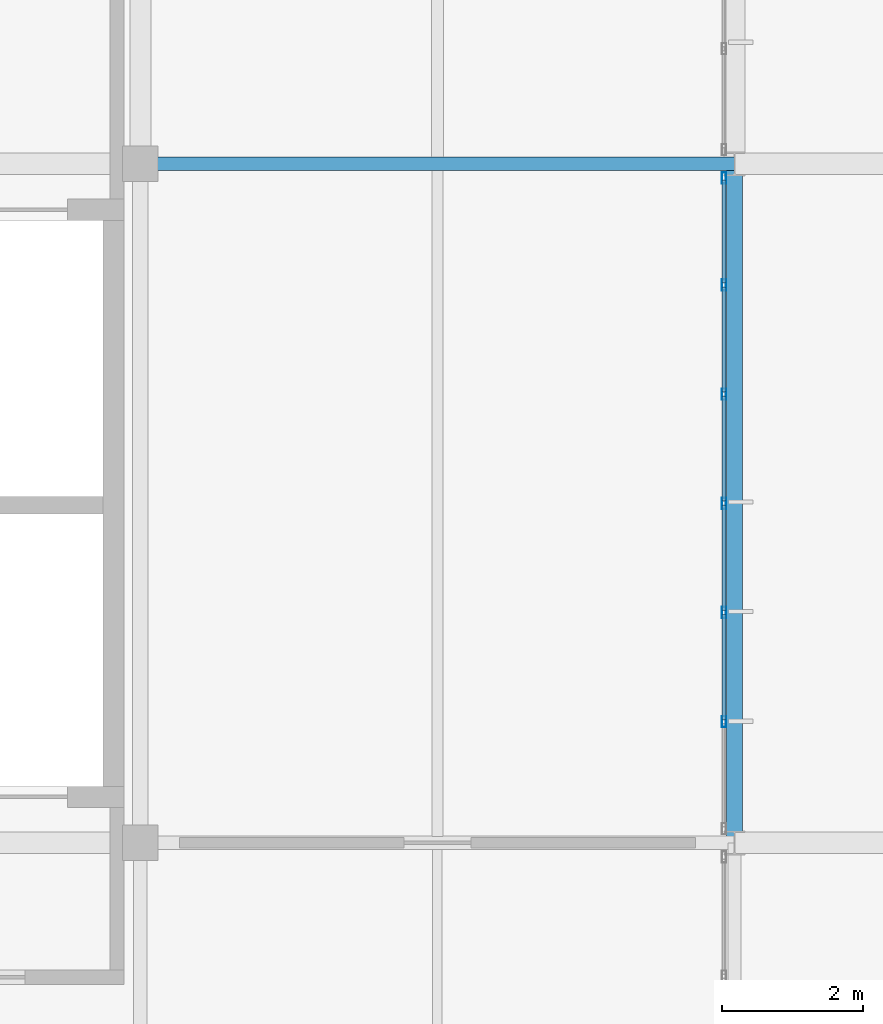
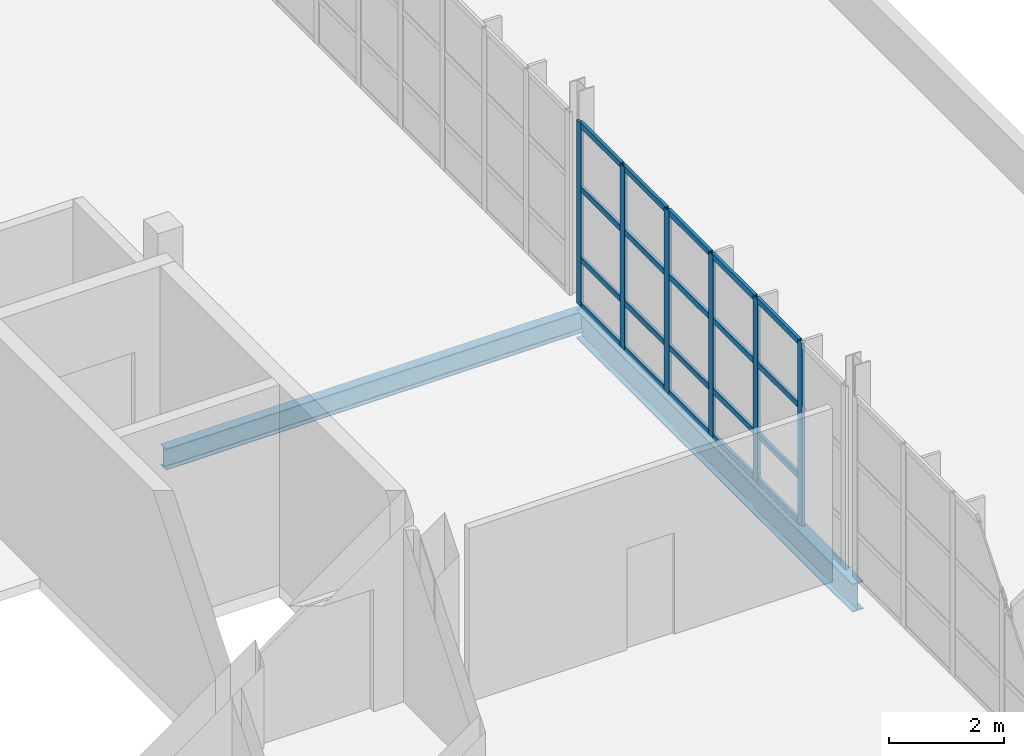
# One storey, part 78 of 103: 26 members, 2 beams, 1 element without a shape of its own.
"""IFC4 building model written with IfcOpenShell, lengths in metres."""

from ifc_helpers import new_model, si_unit, direction, frame, origin, origin_2d, place, context, subcontext, project, spatial, hollow_rectangle, i_section, extrude, material, material_profile, profile_set, type_object, element, aggregate, save


model = new_model("IFC4")

# Units and contexts
model_context = context("Model", 3, precision=1e-05, world=origin(), true_north=direction((0.0, 1.0)))
body_context = subcontext(model_context, "Body", "Model", "MODEL_VIEW")
ifc_project = project(units=[si_unit("LENGTHUNIT", "METRE"), si_unit("AREAUNIT", "SQUARE_METRE"), si_unit("VOLUMEUNIT", "CUBIC_METRE"), si_unit("PLANEANGLEUNIT", "RADIAN"), si_unit("MASSUNIT", "GRAM", prefix="KILO")], contexts=[model_context])

# Site, building, storey
site_placement = place(None, origin())
site = spatial("IfcSite", under=ifc_project, at=site_placement, CompositionType="ELEMENT")
building_placement = place(site_placement, origin())
building = spatial("IfcBuilding", under=site, at=building_placement, Name="Veltarok Museum of Natural Sciences", CompositionType="ELEMENT")
storey_placement = place(building_placement, frame((0.0, 0.0, 21.89990234375)))
storey = spatial("IfcBuildingStorey", under=building, at=storey_placement, Name="L04", CompositionType="ELEMENT", Elevation=21.89990234375)

# Curtain wall, members
ifc_material_1 = material(Name="Low-iron triple insulated glass", Category="glass")
curtain_wall_type = type_object("IfcCurtainWallType", Name="Curtain Wall System CW-V5E-L04-D-926x388 (V5 East Lab L04 D-E 926x388cm)", PredefinedType="NOTDEFINED", material=ifc_material_1)
curtain_wall_placement = place(storey_placement, origin())
curtain_wall = element("IfcCurtainWall", 1, at=curtain_wall_placement, inside=storey, type_object=curtain_wall_type, Name="Curtain Wall CW-V5E-L04-D-926x388 CW-0123", PredefinedType="NOTDEFINED")
ifc_material_2 = material(Name="Thermally broken anodised aluminium", Category="aluminium")
ifc_material_profile_1 = material_profile(ifc_material_2, hollow_rectangle(XDim=0.06005859375, YDim=0.1201171875, WallThickness=0.0048828125, at=origin_2d()), Name="CW TRANSOM 60x120x5")
ifc_profile_set_1 = profile_set([ifc_material_profile_1], Name="Thermally broken anodised aluminium")
member_type_1 = type_object("IfcMemberType", Name="Curtain Wall Horizontal Transom 60x120x5", PredefinedType="USERDEFINED", material=ifc_profile_set_1)
member_1_placement = place(storey_placement, frame((149.050048828125, 28.143310546875, 0.030029296875), z_axis=(0.0, 1.0, 0.0), x_axis=(-1.0, 0.0, 0.0)))
member_1 = element("IfcMember", 2, at=member_1_placement, type_object=member_type_1, Name="CW-V5E-L04-D-926x388 transom 2.1", ObjectType="TRANSOM", PredefinedType="USERDEFINED", context=body_context, shape_type="SweptSolid", body=[
    extrude(hollow_rectangle(XDim=0.06005859375, YDim=0.1201171875, WallThickness=0.0048828125, at=origin_2d()), origin(), (0.0, 0.0, 1.0), 1.4833984375),
])
member_2_placement = place(storey_placement, frame((149.050048828125, 28.143310546875, 1.0), z_axis=(0.0, 1.0, 0.0), x_axis=(-1.0, 0.0, 0.0)))
member_2 = element("IfcMember", 3, at=member_2_placement, type_object=member_type_1, Name="CW-V5E-L04-D-926x388 transom 2.2", ObjectType="TRANSOM", PredefinedType="USERDEFINED", context=body_context, shape_type="SweptSolid", body=[
    extrude(hollow_rectangle(XDim=0.06005859375, YDim=0.1201171875, WallThickness=0.0048828125, at=origin_2d()), origin(), (0.0, 0.0, 1.0), 1.4833984375),
])
member_3_placement = place(storey_placement, frame((149.050048828125, 28.143310546875, 2.5), z_axis=(0.0, 1.0, 0.0), x_axis=(-1.0, 0.0, 0.0)))
member_3 = element("IfcMember", 4, at=member_3_placement, type_object=member_type_1, Name="CW-V5E-L04-D-926x388 transom 2.3", ObjectType="TRANSOM", PredefinedType="USERDEFINED", context=body_context, shape_type="SweptSolid", body=[
    extrude(hollow_rectangle(XDim=0.06005859375, YDim=0.1201171875, WallThickness=0.0048828125, at=origin_2d()), origin(), (0.0, 0.0, 1.0), 1.4833984375),
])
member_4_placement = place(storey_placement, frame((149.050048828125, 28.143310546875, 3.85009765625), z_axis=(0.0, 1.0, 0.0), x_axis=(-1.0, 0.0, 0.0)))
member_4 = element("IfcMember", 5, at=member_4_placement, type_object=member_type_1, Name="CW-V5E-L04-D-926x388 transom 2.4", ObjectType="TRANSOM", PredefinedType="USERDEFINED", context=body_context, shape_type="SweptSolid", body=[
    extrude(hollow_rectangle(XDim=0.06005859375, YDim=0.1201171875, WallThickness=0.0048828125, at=origin_2d()), origin(), (0.0, 0.0, 1.0), 1.4833984375),
])
member_5_placement = place(storey_placement, frame((149.050048828125, 29.686767578125, 0.030029296875), z_axis=(0.0, 1.0, 0.0), x_axis=(-1.0, 0.0, 0.0)))
member_5 = element("IfcMember", 6, at=member_5_placement, type_object=member_type_1, Name="CW-V5E-L04-D-926x388 transom 3.1", ObjectType="TRANSOM", PredefinedType="USERDEFINED", context=body_context, shape_type="SweptSolid", body=[
    extrude(hollow_rectangle(XDim=0.06005859375, YDim=0.1201171875, WallThickness=0.0048828125, at=origin_2d()), origin(), (0.0, 0.0, 1.0), 1.483154296875),
])
member_6_placement = place(storey_placement, frame((149.050048828125, 29.686767578125, 1.0), z_axis=(0.0, 1.0, 0.0), x_axis=(-1.0, 0.0, 0.0)))
member_6 = element("IfcMember", 7, at=member_6_placement, type_object=member_type_1, Name="CW-V5E-L04-D-926x388 transom 3.2", ObjectType="TRANSOM", PredefinedType="USERDEFINED", context=body_context, shape_type="SweptSolid", body=[
    extrude(hollow_rectangle(XDim=0.06005859375, YDim=0.1201171875, WallThickness=0.0048828125, at=origin_2d()), origin(), (0.0, 0.0, 1.0), 1.483154296875),
])
member_7_placement = place(storey_placement, frame((149.050048828125, 29.686767578125, 2.5), z_axis=(0.0, 1.0, 0.0), x_axis=(-1.0, 0.0, 0.0)))
member_7 = element("IfcMember", 8, at=member_7_placement, type_object=member_type_1, Name="CW-V5E-L04-D-926x388 transom 3.3", ObjectType="TRANSOM", PredefinedType="USERDEFINED", context=body_context, shape_type="SweptSolid", body=[
    extrude(hollow_rectangle(XDim=0.06005859375, YDim=0.1201171875, WallThickness=0.0048828125, at=origin_2d()), origin(), (0.0, 0.0, 1.0), 1.483154296875),
])
member_8_placement = place(storey_placement, frame((149.050048828125, 29.686767578125, 3.85009765625), z_axis=(0.0, 1.0, 0.0), x_axis=(-1.0, 0.0, 0.0)))
member_8 = element("IfcMember", 9, at=member_8_placement, type_object=member_type_1, Name="CW-V5E-L04-D-926x388 transom 3.4", ObjectType="TRANSOM", PredefinedType="USERDEFINED", context=body_context, shape_type="SweptSolid", body=[
    extrude(hollow_rectangle(XDim=0.06005859375, YDim=0.1201171875, WallThickness=0.0048828125, at=origin_2d()), origin(), (0.0, 0.0, 1.0), 1.483154296875),
])
member_9_placement = place(storey_placement, frame((149.050048828125, 31.22998046875, 0.030029296875), z_axis=(0.0, 1.0, 0.0), x_axis=(-1.0, 0.0, 0.0)))
member_9 = element("IfcMember", 10, at=member_9_placement, type_object=member_type_1, Name="CW-V5E-L04-D-926x388 transom 4.1", ObjectType="TRANSOM", PredefinedType="USERDEFINED", context=body_context, shape_type="SweptSolid", body=[
    extrude(hollow_rectangle(XDim=0.06005859375, YDim=0.1201171875, WallThickness=0.0048828125, at=origin_2d()), origin(), (0.0, 0.0, 1.0), 1.4833984375),
])
member_10_placement = place(storey_placement, frame((149.050048828125, 31.22998046875, 1.0), z_axis=(0.0, 1.0, 0.0), x_axis=(-1.0, 0.0, 0.0)))
member_10 = element("IfcMember", 11, at=member_10_placement, type_object=member_type_1, Name="CW-V5E-L04-D-926x388 transom 4.2", ObjectType="TRANSOM", PredefinedType="USERDEFINED", context=body_context, shape_type="SweptSolid", body=[
    extrude(hollow_rectangle(XDim=0.06005859375, YDim=0.1201171875, WallThickness=0.0048828125, at=origin_2d()), origin(), (0.0, 0.0, 1.0), 1.4833984375),
])
member_11_placement = place(storey_placement, frame((149.050048828125, 31.22998046875, 2.5), z_axis=(0.0, 1.0, 0.0), x_axis=(-1.0, 0.0, 0.0)))
member_11 = element("IfcMember", 12, at=member_11_placement, type_object=member_type_1, Name="CW-V5E-L04-D-926x388 transom 4.3", ObjectType="TRANSOM", PredefinedType="USERDEFINED", context=body_context, shape_type="SweptSolid", body=[
    extrude(hollow_rectangle(XDim=0.06005859375, YDim=0.1201171875, WallThickness=0.0048828125, at=origin_2d()), origin(), (0.0, 0.0, 1.0), 1.4833984375),
])
member_12_placement = place(storey_placement, frame((149.050048828125, 31.22998046875, 3.85009765625), z_axis=(0.0, 1.0, 0.0), x_axis=(-1.0, 0.0, 0.0)))
member_12 = element("IfcMember", 13, at=member_12_placement, type_object=member_type_1, Name="CW-V5E-L04-D-926x388 transom 4.4", ObjectType="TRANSOM", PredefinedType="USERDEFINED", context=body_context, shape_type="SweptSolid", body=[
    extrude(hollow_rectangle(XDim=0.06005859375, YDim=0.1201171875, WallThickness=0.0048828125, at=origin_2d()), origin(), (0.0, 0.0, 1.0), 1.4833984375),
])
member_13_placement = place(storey_placement, frame((149.050048828125, 32.7734375, 0.030029296875), z_axis=(0.0, 1.0, 0.0), x_axis=(-1.0, 0.0, 0.0)))
member_13 = element("IfcMember", 14, at=member_13_placement, type_object=member_type_1, Name="CW-V5E-L04-D-926x388 transom 5.1", ObjectType="TRANSOM", PredefinedType="USERDEFINED", context=body_context, shape_type="SweptSolid", body=[
    extrude(hollow_rectangle(XDim=0.06005859375, YDim=0.1201171875, WallThickness=0.0048828125, at=origin_2d()), origin(), (0.0, 0.0, 1.0), 1.483154296875),
])
member_14_placement = place(storey_placement, frame((149.050048828125, 32.7734375, 1.0), z_axis=(0.0, 1.0, 0.0), x_axis=(-1.0, 0.0, 0.0)))
member_14 = element("IfcMember", 15, at=member_14_placement, type_object=member_type_1, Name="CW-V5E-L04-D-926x388 transom 5.2", ObjectType="TRANSOM", PredefinedType="USERDEFINED", context=body_context, shape_type="SweptSolid", body=[
    extrude(hollow_rectangle(XDim=0.06005859375, YDim=0.1201171875, WallThickness=0.0048828125, at=origin_2d()), origin(), (0.0, 0.0, 1.0), 1.483154296875),
])
member_15_placement = place(storey_placement, frame((149.050048828125, 32.7734375, 2.5), z_axis=(0.0, 1.0, 0.0), x_axis=(-1.0, 0.0, 0.0)))
member_15 = element("IfcMember", 16, at=member_15_placement, type_object=member_type_1, Name="CW-V5E-L04-D-926x388 transom 5.3", ObjectType="TRANSOM", PredefinedType="USERDEFINED", context=body_context, shape_type="SweptSolid", body=[
    extrude(hollow_rectangle(XDim=0.06005859375, YDim=0.1201171875, WallThickness=0.0048828125, at=origin_2d()), origin(), (0.0, 0.0, 1.0), 1.483154296875),
])
member_16_placement = place(storey_placement, frame((149.050048828125, 32.7734375, 3.85009765625), z_axis=(0.0, 1.0, 0.0), x_axis=(-1.0, 0.0, 0.0)))
member_16 = element("IfcMember", 17, at=member_16_placement, type_object=member_type_1, Name="CW-V5E-L04-D-926x388 transom 5.4", ObjectType="TRANSOM", PredefinedType="USERDEFINED", context=body_context, shape_type="SweptSolid", body=[
    extrude(hollow_rectangle(XDim=0.06005859375, YDim=0.1201171875, WallThickness=0.0048828125, at=origin_2d()), origin(), (0.0, 0.0, 1.0), 1.483154296875),
])
member_17_placement = place(storey_placement, frame((149.050048828125, 34.316650390625, 0.030029296875), z_axis=(0.0, 1.0, 0.0), x_axis=(-1.0, 0.0, 0.0)))
member_17 = element("IfcMember", 18, at=member_17_placement, type_object=member_type_1, Name="CW-V5E-L04-D-926x388 transom 6.1", ObjectType="TRANSOM", PredefinedType="USERDEFINED", context=body_context, shape_type="SweptSolid", body=[
    extrude(hollow_rectangle(XDim=0.06005859375, YDim=0.1201171875, WallThickness=0.0048828125, at=origin_2d()), origin(), (0.0, 0.0, 1.0), 1.453369140625),
])
member_18_placement = place(storey_placement, frame((149.050048828125, 34.316650390625, 1.0), z_axis=(0.0, 1.0, 0.0), x_axis=(-1.0, 0.0, 0.0)))
member_18 = element("IfcMember", 19, at=member_18_placement, type_object=member_type_1, Name="CW-V5E-L04-D-926x388 transom 6.2", ObjectType="TRANSOM", PredefinedType="USERDEFINED", context=body_context, shape_type="SweptSolid", body=[
    extrude(hollow_rectangle(XDim=0.06005859375, YDim=0.1201171875, WallThickness=0.0048828125, at=origin_2d()), origin(), (0.0, 0.0, 1.0), 1.453369140625),
])
member_19_placement = place(storey_placement, frame((149.050048828125, 34.316650390625, 2.5), z_axis=(0.0, 1.0, 0.0), x_axis=(-1.0, 0.0, 0.0)))
member_19 = element("IfcMember", 20, at=member_19_placement, type_object=member_type_1, Name="CW-V5E-L04-D-926x388 transom 6.3", ObjectType="TRANSOM", PredefinedType="USERDEFINED", context=body_context, shape_type="SweptSolid", body=[
    extrude(hollow_rectangle(XDim=0.06005859375, YDim=0.1201171875, WallThickness=0.0048828125, at=origin_2d()), origin(), (0.0, 0.0, 1.0), 1.453369140625),
])
member_20_placement = place(storey_placement, frame((149.050048828125, 34.316650390625, 3.85009765625), z_axis=(0.0, 1.0, 0.0), x_axis=(-1.0, 0.0, 0.0)))
member_20 = element("IfcMember", 21, at=member_20_placement, type_object=member_type_1, Name="CW-V5E-L04-D-926x388 transom 6.4", ObjectType="TRANSOM", PredefinedType="USERDEFINED", context=body_context, shape_type="SweptSolid", body=[
    extrude(hollow_rectangle(XDim=0.06005859375, YDim=0.1201171875, WallThickness=0.0048828125, at=origin_2d()), origin(), (0.0, 0.0, 1.0), 1.453369140625),
])
ifc_material_profile_2 = material_profile(ifc_material_2, hollow_rectangle(XDim=0.06005859375, YDim=0.159912109375, WallThickness=0.0048828125, at=origin_2d()), Name="CW MULLION 60x160x5")
ifc_profile_set_2 = profile_set([ifc_material_profile_2], Name="Thermally broken anodised aluminium")
member_type_2 = type_object("IfcMemberType", Name="Curtain Wall Vertical Mullion 60x160x5", PredefinedType="MULLION", material=ifc_profile_set_2)
member_21_placement = place(storey_placement, frame((149.050048828125, 28.11328125, 0.0), z_axis=(0.0, 0.0, 1.0), x_axis=(-1.0, 0.0, 0.0)))
member_21 = element("IfcMember", 22, at=member_21_placement, type_object=member_type_2, Name="CW-V5E-L04-D-926x388 mullion 2", PredefinedType="MULLION", context=body_context, shape_type="SweptSolid", body=[
    extrude(hollow_rectangle(XDim=0.06005859375, YDim=0.159912109375, WallThickness=0.0048828125, at=origin_2d()), origin(), (0.0, 0.0, 1.0), 3.880126953125),
])
member_22_placement = place(storey_placement, frame((149.050048828125, 29.65673828125, 0.0), z_axis=(0.0, 0.0, 1.0), x_axis=(-1.0, 0.0, 0.0)))
member_22 = element("IfcMember", 23, at=member_22_placement, type_object=member_type_2, Name="CW-V5E-L04-D-926x388 mullion 3", PredefinedType="MULLION", context=body_context, shape_type="SweptSolid", body=[
    extrude(hollow_rectangle(XDim=0.06005859375, YDim=0.159912109375, WallThickness=0.0048828125, at=origin_2d()), origin(), (0.0, 0.0, 1.0), 3.880126953125),
])
member_23_placement = place(storey_placement, frame((149.050048828125, 31.199951171875, 0.0), z_axis=(0.0, 0.0, 1.0), x_axis=(-1.0, 0.0, 0.0)))
member_23 = element("IfcMember", 24, at=member_23_placement, type_object=member_type_2, Name="CW-V5E-L04-D-926x388 mullion 4", PredefinedType="MULLION", context=body_context, shape_type="SweptSolid", body=[
    extrude(hollow_rectangle(XDim=0.06005859375, YDim=0.159912109375, WallThickness=0.0048828125, at=origin_2d()), origin(), (0.0, 0.0, 1.0), 3.880126953125),
])
member_24_placement = place(storey_placement, frame((149.050048828125, 32.743408203125, 0.0), z_axis=(0.0, 0.0, 1.0), x_axis=(-1.0, 0.0, 0.0)))
member_24 = element("IfcMember", 25, at=member_24_placement, type_object=member_type_2, Name="CW-V5E-L04-D-926x388 mullion 5", PredefinedType="MULLION", context=body_context, shape_type="SweptSolid", body=[
    extrude(hollow_rectangle(XDim=0.06005859375, YDim=0.159912109375, WallThickness=0.0048828125, at=origin_2d()), origin(), (0.0, 0.0, 1.0), 3.880126953125),
])
member_25_placement = place(storey_placement, frame((149.050048828125, 34.28662109375, 0.0), z_axis=(0.0, 0.0, 1.0), x_axis=(-1.0, 0.0, 0.0)))
member_25 = element("IfcMember", 26, at=member_25_placement, type_object=member_type_2, Name="CW-V5E-L04-D-926x388 mullion 6", PredefinedType="MULLION", context=body_context, shape_type="SweptSolid", body=[
    extrude(hollow_rectangle(XDim=0.06005859375, YDim=0.159912109375, WallThickness=0.0048828125, at=origin_2d()), origin(), (0.0, 0.0, 1.0), 3.880126953125),
])
member_26_placement = place(storey_placement, frame((149.050048828125, 35.800048828125, 0.0), z_axis=(0.0, 0.0, 1.0), x_axis=(-1.0, 0.0, 0.0)))
member_26 = element("IfcMember", 27, at=member_26_placement, type_object=member_type_2, Name="CW-V5E-L04-D-926x388 mullion 7", PredefinedType="MULLION", context=body_context, shape_type="SweptSolid", body=[
    extrude(hollow_rectangle(XDim=0.06005859375, YDim=0.159912109375, WallThickness=0.0048828125, at=origin_2d()), origin(), (0.0, 0.0, 1.0), 3.880126953125),
])
aggregate(curtain_wall, [member_21, member_22, member_23, member_24, member_25, member_26, member_1, member_2, member_3, member_4, member_5, member_6, member_7, member_8, member_9, member_10, member_11, member_12, member_13, member_14, member_15, member_16, member_17, member_18, member_19, member_20])

# Beams
ifc_material_3 = material(Name="Steel S355J2", Category="steel")
ifc_material_profile_3 = material_profile(ifc_material_3, i_section(OverallWidth=0.18994140625, OverallDepth=0.449951171875, WebThickness=0.009521484375, FlangeThickness=0.0146484375, FilletRadius=0.02099609375, at=origin_2d()), Name="IPE 450")
ifc_profile_set_3 = profile_set([ifc_material_profile_3], Name="Steel S355J2")
beam_type_1 = type_object("IfcBeamType", Name="Laboratory Floor Girder IPE 450", PredefinedType="BEAM", material=ifc_profile_set_3)
beam_1_placement = place(storey_placement, frame((140.800048828125, 36.0, -0.474853515625), z_axis=(1.0, 0.0, 0.0), x_axis=(0.0, 1.0, 0.0)))
element("IfcBeam", 28, at=beam_1_placement, inside=storey, type_object=beam_type_1, Name="Beam BM-G05 L04 17-18/E", PredefinedType="BEAM", context=body_context, shape_type="SweptSolid", body=[
    extrude(i_section(OverallWidth=0.18994140625, OverallDepth=0.449951171875, WebThickness=0.009521484375, FlangeThickness=0.0146484375, FilletRadius=0.02099609375, at=origin_2d()), origin(), (0.0, 0.0, 1.0), 8.39990234375),
])
ifc_material_profile_4 = material_profile(ifc_material_3, i_section(OverallWidth=0.219970703125, OverallDepth=0.60009765625, WebThickness=0.011962890625, FlangeThickness=0.01904296875, FilletRadius=0.02392578125, at=origin_2d()), Name="IPE 600")
ifc_profile_set_4 = profile_set([ifc_material_profile_4], Name="Steel S355J2")
beam_type_2 = type_object("IfcBeamType", Name="Primary Museum Girder IPE 600", PredefinedType="BEAM", material=ifc_profile_set_4)
beam_2_placement = place(storey_placement, frame((149.199951171875, 26.39990234375, -0.5498046875), z_axis=(0.0, 1.0, 0.0), x_axis=(-1.0, 0.0, 0.0)))
element("IfcBeam", 29, at=beam_2_placement, inside=storey, type_object=beam_type_2, Name="Beam BM-G02 L04 18/D-E", PredefinedType="BEAM", context=body_context, shape_type="SweptSolid", body=[
    extrude(i_section(OverallWidth=0.219970703125, OverallDepth=0.60009765625, WebThickness=0.011962890625, FlangeThickness=0.01904296875, FilletRadius=0.02392578125, at=origin_2d()), origin(), (0.0, 0.0, 1.0), 9.60009765625),
])

save(model, "model.ifc")
